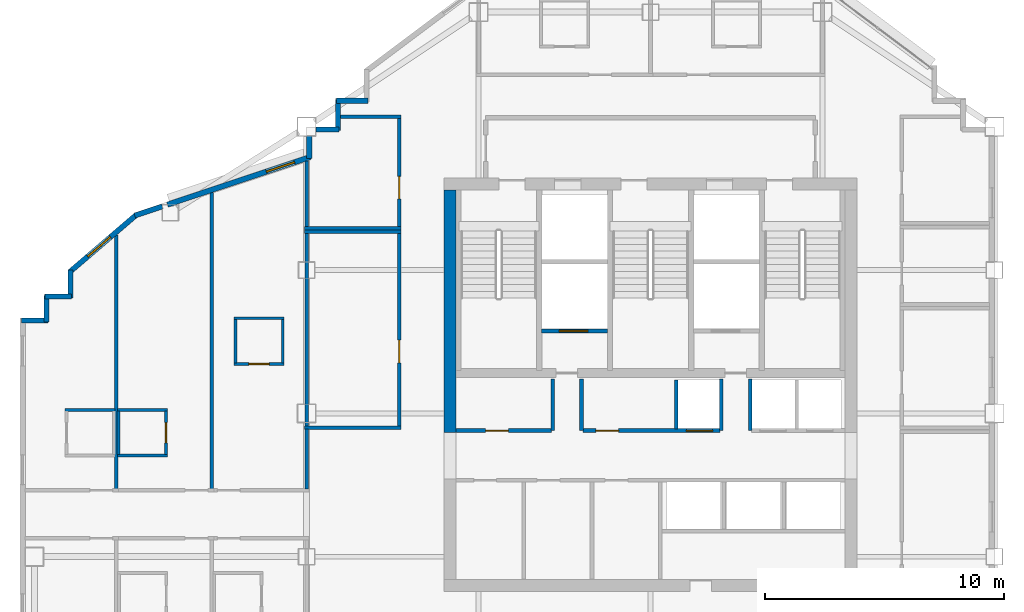
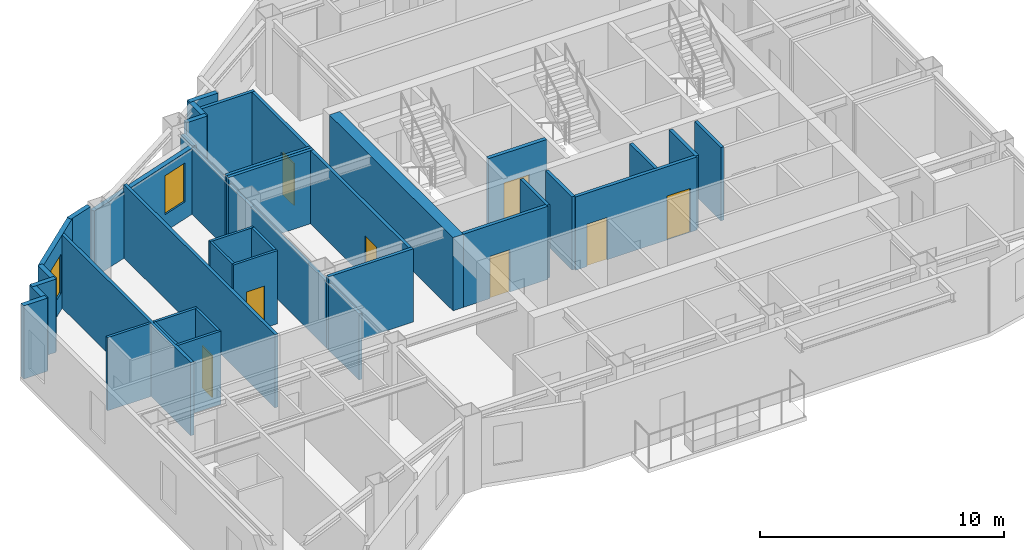
# One storey, part 6 of 11: 40 walls, 8 doors, 2 windows, 10 openings.
"""IFC4 building model written with IfcOpenShell, lengths in metres."""

from ifc_helpers import new_model, si_unit, direction, frame, frame_2d, origin, place, context, subcontext, project, spatial, rectangle, extrude, material, layer, layer_set, type_object, element, fill, save


model = new_model("IFC4")

# Units and contexts
model_context = context("Model", 3, precision=1e-05, world=origin(), true_north=direction((0.0, 1.0)))
body_context = subcontext(model_context, "Body", "Model", "MODEL_VIEW")
ifc_project = project(units=[si_unit("LENGTHUNIT", "METRE"), si_unit("AREAUNIT", "SQUARE_METRE"), si_unit("VOLUMEUNIT", "CUBIC_METRE"), si_unit("PLANEANGLEUNIT", "RADIAN"), si_unit("MASSUNIT", "GRAM", prefix="KILO")], contexts=[model_context])

# Site, building, storey
site_placement = place(None, origin())
site = spatial("IfcSite", under=ifc_project, at=site_placement, CompositionType="ELEMENT")
building_placement = place(site_placement, origin())
building = spatial("IfcBuilding", under=site, at=building_placement, Name="Haolan Belvedere Tower", CompositionType="ELEMENT")
storey_placement = place(building_placement, frame((0.0, 0.0, 254.449951171875)))
storey = spatial("IfcBuildingStorey", under=building, at=storey_placement, Name="L64", CompositionType="ELEMENT", Elevation=254.449951171875)

# Walls
ifc_material_1 = material(Name="Concrete C50/60", Category="concrete")
ifc_layer_1 = layer(ifc_material_1, 0.5, Name="Concrete C50/60")
ifc_layer_set_1 = layer_set([ifc_layer_1], Name="Concrete C50/60")
wall_type_1 = type_object("IfcWallType", Name="WL-CORE-500", PredefinedType="SHEAR", material=ifc_layer_set_1)
wall_1_placement = place(storey_placement, frame((30.0, 32.800048828125, 0.0), z_axis=(0.0, 0.0, 1.0), x_axis=(0.0, 1.0, 0.0)))
element("IfcWall", 1, at=wall_1_placement, inside=storey, type_object=wall_type_1, Name="L64 central core shear wall WN", PredefinedType="SHEAR", context=body_context, shape_type="SweptSolid", body=[
    extrude(rectangle(XDim=10.14990234375, YDim=0.5, at=frame_2d((5.074951171875, 0.0))), origin(), (0.0, 0.0, 1.0), 3.670166015625),
])
ifc_material_2 = material(Name="Precast concrete C40/50", Category="concrete")
ifc_layer_2 = layer(ifc_material_2, 0.219970703125, Name="Precast concrete C40/50")
ifc_layer_set_2 = layer_set([ifc_layer_2], Name="Precast concrete C40/50")
wall_type_2 = type_object("IfcWallType", Name="WL-EXT-220", PredefinedType="SOLIDWALL", material=ifc_layer_set_2)
for number, where, z_axis, x_axis, name in (
    (2, (26.56494140625, 46.68994140625, 0.0), (0.0, 0.0, 1.0), (-1.0, 0.0, 0.0), "L64 pale-metal exterior spandrel wall 13.1"),
    (3, (25.31005859375, 46.7451171875, 0.0), (0.0, 0.0, 1.0), (0.0, -1.0, 0.0), "L64 pale-metal exterior spandrel wall 14.1"),
):
    element("IfcWall", number, at=place(storey_placement, frame(where, z_axis=z_axis, x_axis=x_axis)), inside=storey, type_object=wall_type_2, Name=name, PredefinedType="SOLIDWALL", context=body_context, shape_type="SweptSolid", body=[
        extrude(rectangle(XDim=1.31005859375, YDim=0.219970703125, at=frame_2d((0.655029296875, 0.0))), origin(), (0.0, 0.0, 1.0), 3.670166015625),
    ])
wall_2_placement = place(storey_placement, frame((25.364990234375, 45.489990234375, 0.0), z_axis=(0.0, 0.0, 1.0), x_axis=(-1.0, 0.0, 0.0)))
element("IfcWall", 4, at=wall_2_placement, inside=storey, type_object=wall_type_2, Name="L64 pale-metal exterior spandrel wall 15.1", PredefinedType="SOLIDWALL", context=body_context, shape_type="SweptSolid", body=[
    extrude(rectangle(XDim=0.972900390625, YDim=0.219970703125, at=frame_2d((0.486328125, 0.0))), origin(), (0.0, 0.0, 1.0), 3.670166015625),
])
wall_3_placement = place(storey_placement, frame((24.110107421875, 45.2080078125, 0.0), z_axis=(0.0, 0.0, 1.0), x_axis=(0.0, -1.0, 0.0)))
element("IfcWall", 5, at=wall_3_placement, inside=storey, type_object=wall_type_2, Name="L64 pale-metal exterior spandrel wall 16.1", PredefinedType="SOLIDWALL", context=body_context, shape_type="SweptSolid", body=[
    extrude(rectangle(XDim=0.9423828125, YDim=0.219970703125, at=frame_2d((0.47119140625, 0.0))), origin(), (0.0, 0.0, 1.0), 3.31494140625),
])

# Wall, opening, window
wall_4_placement = place(storey_placement, frame((24.162109375, 44.338134765625, 0.0), z_axis=(0.0, 0.0, 1.0), x_axis=(-0.948687165594, -0.31621616315, 0.0)))
wall_4 = element("IfcWall", 6, at=wall_4_placement, inside=storey, type_object=wall_type_2, Name="L64 pale-metal exterior spandrel wall 17.1", PredefinedType="SOLIDWALL", context=body_context, shape_type="SweptSolid", body=[
    extrude(rectangle(XDim=6.3125, YDim=0.219970703125, at=frame_2d((3.15625, 0.0))), origin(), (0.0, 0.0, 1.0), 3.31494140625),
])
opening_1_placement = place(wall_4_placement, frame((0.699951171875, 0.0, 0.85009765625)))
opening_1 = element("IfcOpeningElement", 7, at=opening_1_placement, cuts=wall_4, Name="Opening W-04", PredefinedType="OPENING", context=body_context, shape_type="SweptSolid", body=[
    extrude(rectangle(XDim=1.25, YDim=1.949951171875, at=frame_2d((0.625, 0.97509765625))), frame((0.0, 0.119873046875, 0.0), z_axis=(0.0, -1.0, 0.0), x_axis=(1.0, 0.0, 0.0)), (0.0, 0.0, 1.0), 0.239990234375),
])
ifc_material_3 = material(Name="Anodised aluminium 6063-T6 and Low-E glass", Category="aluminium")
window_type = type_object("IfcWindowType", Name="WN-DECO-Z4", PartitioningType="SINGLE_PANEL", PredefinedType="WINDOW", material=ifc_material_3)
window_1_placement = place(opening_1_placement, origin())
window_1 = element("IfcWindow", 8, at=window_1_placement, inside=storey, type_object=window_type, Name="L64 Art Deco chevron window 1", OverallHeight=1.949951171875, OverallWidth=1.25, PartitioningType="SINGLE_PANEL", PredefinedType="WINDOW", context=body_context, shape_type="SweptSolid", body=[
    extrude(rectangle(XDim=1.25, YDim=1.949951171875, at=frame_2d((0.625, 0.97509765625))), frame((0.0, 0.030029296875, 0.0), z_axis=(0.0, -1.0, 0.0), x_axis=(1.0, 0.0, 0.0)), (0.0, 0.0, 1.0), 0.06005859375),
])
fill(opening_1, window_1)

# Wall
wall_5_placement = place(storey_placement, frame((17.9580078125, 42.27001953125, 0.0), z_axis=(0.0, 0.0, 1.0), x_axis=(-0.948683298051, -0.316227766017, 0.0)))
element("IfcWall", 9, at=wall_5_placement, inside=storey, type_object=wall_type_2, Name="L64 pale-metal exterior spandrel wall 17.2", PredefinedType="SOLIDWALL", context=body_context, shape_type="SweptSolid", body=[
    extrude(rectangle(XDim=1.217529296875, YDim=0.219970703125, at=frame_2d((0.60888671875, 0.0))), origin(), (0.0, 0.0, 1.0), 3.670166015625),
])

# Wall, opening, window
wall_6_placement = place(storey_placement, frame((16.89697265625, 41.938232421875, 0.0), z_axis=(0.0, 0.0, 1.0), x_axis=(-0.759279729622, -0.650764390686, 0.0)))
wall_6 = element("IfcWall", 10, at=wall_6_placement, inside=storey, type_object=wall_type_2, Name="L64 pale-metal exterior spandrel wall 18.1", PredefinedType="SOLIDWALL", context=body_context, shape_type="SweptSolid", body=[
    extrude(rectangle(XDim=3.725830078125, YDim=0.219970703125, at=frame_2d((1.86279296875, 0.0))), origin(), (0.0, 0.0, 1.0), 3.670166015625),
])
opening_2_placement = place(wall_6_placement, frame((1.46435546875, 0.0, 0.85009765625)))
opening_2 = element("IfcOpeningElement", 11, at=opening_2_placement, cuts=wall_6, Name="Opening W-04", PredefinedType="OPENING", context=body_context, shape_type="SweptSolid", body=[
    extrude(rectangle(XDim=1.25, YDim=1.949951171875, at=frame_2d((0.625, 0.97509765625))), frame((0.0, 0.119873046875, 0.0), z_axis=(0.0, -1.0, 0.0), x_axis=(1.0, 0.0, 0.0)), (0.0, 0.0, 1.0), 0.239990234375),
])
window_2_placement = place(opening_2_placement, origin())
window_2 = element("IfcWindow", 12, at=window_2_placement, inside=storey, type_object=window_type, Name="L64 Art Deco chevron window 1", OverallHeight=1.949951171875, OverallWidth=1.25, PartitioningType="SINGLE_PANEL", PredefinedType="WINDOW", context=body_context, shape_type="SweptSolid", body=[
    extrude(rectangle(XDim=1.25, YDim=1.949951171875, at=frame_2d((0.625, 0.97509765625))), frame((0.0, 0.030029296875, 0.0), z_axis=(0.0, -1.0, 0.0), x_axis=(1.0, 0.0, 0.0)), (0.0, 0.0, 1.0), 0.06005859375),
])
fill(opening_2, window_2)

# Walls
wall_7_placement = place(storey_placement, frame((14.110107421875, 39.6044921875, 0.0), z_axis=(0.0, 0.0, 1.0), x_axis=(0.0, -1.0, 0.0)))
element("IfcWall", 13, at=wall_7_placement, inside=storey, type_object=wall_type_2, Name="L64 pale-metal exterior spandrel wall 19.1", PredefinedType="SOLIDWALL", context=body_context, shape_type="SweptSolid", body=[
    extrude(rectangle(XDim=1.16943359375, YDim=0.219970703125, at=frame_2d((0.584716796875, 0.0))), origin(), (0.0, 0.0, 1.0), 3.670166015625),
])
wall_8_placement = place(storey_placement, frame((14.1650390625, 38.489990234375, 0.0), z_axis=(0.0, 0.0, 1.0), x_axis=(-1.0, 0.0, 0.0)))
element("IfcWall", 14, at=wall_8_placement, inside=storey, type_object=wall_type_2, Name="L64 pale-metal exterior spandrel wall 20.1", PredefinedType="SOLIDWALL", context=body_context, shape_type="SweptSolid", body=[
    extrude(rectangle(XDim=1.110107421875, YDim=0.219970703125, at=frame_2d((0.55517578125, 0.0))), origin(), (0.0, 0.0, 1.0), 3.670166015625),
])
wall_9_placement = place(storey_placement, frame((13.110107421875, 38.544921875, 0.0), z_axis=(0.0, 0.0, 1.0), x_axis=(0.0, -1.0, 0.0)))
element("IfcWall", 15, at=wall_9_placement, inside=storey, type_object=wall_type_2, Name="L64 pale-metal exterior spandrel wall 21.1", PredefinedType="SOLIDWALL", context=body_context, shape_type="SweptSolid", body=[
    extrude(rectangle(XDim=1.10986328125, YDim=0.219970703125, at=frame_2d((0.554931640625, 0.0))), origin(), (0.0, 0.0, 1.0), 3.670166015625),
])
wall_10_placement = place(storey_placement, frame((13.1650390625, 37.489990234375, 0.0), z_axis=(0.0, 0.0, 1.0), x_axis=(-1.0, 0.0, 0.0)))
element("IfcWall", 16, at=wall_10_placement, inside=storey, type_object=wall_type_2, Name="L64 pale-metal exterior spandrel wall 22.1", PredefinedType="SOLIDWALL", context=body_context, shape_type="SweptSolid", body=[
    extrude(rectangle(XDim=1.110107421875, YDim=0.219970703125, at=frame_2d((0.55517578125, 0.0))), origin(), (0.0, 0.0, 1.0), 3.670166015625),
])
ifc_material_4 = material(Name="Double gypsum acoustic stud partition", Category="masonry")
ifc_layer_3 = layer(ifc_material_4, 0.14990234375, Name="Double gypsum acoustic stud partition")
ifc_layer_set_3 = layer_set([ifc_layer_3], Name="Double gypsum acoustic stud partition")
wall_type_3 = type_object("IfcWallType", Name="WL-PART-150", PredefinedType="PARTITIONING", material=ifc_layer_set_3)
for number, where, z_axis, x_axis, name in (
    (17, (23.919921875, 41.199951171875, 0.0), (0.0, 0.0, 1.0), (1.0, 0.0, 0.0), "L64 interior partition IW-L64-SAL-N"),
    (18, (23.919921875, 33.0, 0.0), (0.0, 0.0, 1.0), (1.0, 0.0, 0.0), "L64 interior partition IW-L64-SAL-S"),
):
    element("IfcWall", number, at=place(storey_placement, frame(where, z_axis=z_axis, x_axis=x_axis)), inside=storey, type_object=wall_type_3, Name=name, PredefinedType="PARTITIONING", context=body_context, shape_type="SweptSolid", body=[
        extrude(rectangle(XDim=4.0400390625, YDim=0.14990234375, at=frame_2d((2.02001953125, 0.0))), origin(), (0.0, 0.0, 1.0), 3.670166015625),
    ])
wall_11_placement = place(storey_placement, frame((24.0, 33.06005859375, 0.0), z_axis=(0.0, 0.0, 1.0), x_axis=(0.0, 1.0, 0.0)))
element("IfcWall", 19, at=wall_11_placement, inside=storey, type_object=wall_type_3, Name="L64 interior partition IW-L64-SAL-W", PredefinedType="PARTITIONING", context=body_context, shape_type="SweptSolid", body=[
    extrude(rectangle(XDim=8.079833984375, YDim=0.14990234375, at=frame_2d((4.0400390625, 0.0))), origin(), (0.0, 0.0, 1.0), 3.31494140625),
])

# Wall, opening, door
wall_12_placement = place(storey_placement, frame((27.8798828125, 33.06005859375, 0.0), z_axis=(0.0, 0.0, 1.0), x_axis=(0.0, 1.0, 0.0)))
wall_12 = element("IfcWall", 20, at=wall_12_placement, inside=storey, type_object=wall_type_3, Name="L64 interior partition IW-L64-SAL-E", PredefinedType="PARTITIONING", context=body_context, shape_type="SweptSolid", body=[
    extrude(rectangle(XDim=8.079833984375, YDim=0.14990234375, at=frame_2d((4.0400390625, 0.0))), origin(), (0.0, 0.0, 1.0), 3.670166015625),
])
opening_3_placement = place(wall_12_placement, frame((3.60986328125, 0.0, 0.0), z_axis=(0.0, 0.0, 1.0), x_axis=(-1.0, 0.0, 0.0)))
opening_3 = element("IfcOpeningElement", 21, at=opening_3_placement, cuts=wall_12, Name="Opening ID-03", PredefinedType="OPENING", context=body_context, shape_type="SweptSolid", body=[
    extrude(rectangle(XDim=0.949951171875, YDim=2.1201171875, at=frame_2d((0.47509765625, 1.06005859375))), frame((0.0, 0.0849609375, 0.0), z_axis=(0.0, -1.0, 0.0), x_axis=(1.0, 0.0, 0.0)), (0.0, 0.0, 1.0), 0.169921875),
])
ifc_material_5 = material(Name="Painted solid-core timber", Category="wood")
door_type_1 = type_object("IfcDoorType", Name="DR-INT-950", OperationType="NOTDEFINED", PredefinedType="DOOR", material=ifc_material_5)
door_1_placement = place(opening_3_placement, origin())
door_1 = element("IfcDoor", 22, at=door_1_placement, inside=storey, type_object=door_type_1, Name="L64 door ID-L64-SAL", OperationType="SINGLE_SWING_LEFT", OverallHeight=2.1201171875, OverallWidth=0.949951171875, PredefinedType="DOOR", context=body_context, shape_type="SweptSolid", body=[
    extrude(rectangle(XDim=0.949951171875, YDim=2.1201171875, at=frame_2d((0.47509765625, 1.06005859375))), frame((0.0, 0.02490234375, 0.0), z_axis=(0.0, -1.0, 0.0), x_axis=(1.0, 0.0, 0.0)), (0.0, 0.0, 1.0), 0.050048828125),
])
fill(opening_3, door_1)

# Walls
wall_13_placement = place(storey_placement, frame((25.412109375, 46.02001953125, 0.0), z_axis=(0.0, 0.0, 1.0), x_axis=(1.0, 0.0, 0.0)))
element("IfcWall", 23, at=wall_13_placement, inside=storey, type_object=wall_type_3, Name="L64 interior partition IW-L64-HSK-N", PredefinedType="PARTITIONING", context=body_context, shape_type="SweptSolid", body=[
    extrude(rectangle(XDim=2.5478515625, YDim=0.14990234375, at=frame_2d((1.27392578125, 0.0))), origin(), (0.0, 0.0, 1.0), 3.670166015625),
])
wall_14_placement = place(storey_placement, frame((23.919921875, 41.360107421875, 0.0), z_axis=(0.0, 0.0, 1.0), x_axis=(1.0, 0.0, 0.0)))
element("IfcWall", 24, at=wall_14_placement, inside=storey, type_object=wall_type_3, Name="L64 interior partition IW-L64-HSK-S", PredefinedType="PARTITIONING", context=body_context, shape_type="SweptSolid", body=[
    extrude(rectangle(XDim=4.0400390625, YDim=0.14990234375, at=frame_2d((2.02001953125, 0.0))), origin(), (0.0, 0.0, 1.0), 3.670166015625),
])
wall_15_placement = place(storey_placement, frame((24.0, 41.419921875, 0.0), z_axis=(0.0, 0.0, 1.0), x_axis=(0.0, 1.0, 0.0)))
element("IfcWall", 25, at=wall_15_placement, inside=storey, type_object=wall_type_3, Name="L64 interior partition IW-L64-HSK-W", PredefinedType="PARTITIONING", context=body_context, shape_type="SweptSolid", body=[
    extrude(rectangle(XDim=2.756591796875, YDim=0.14990234375, at=frame_2d((1.37841796875, 0.0))), origin(), (0.0, 0.0, 1.0), 3.31494140625),
])

# Wall, opening, door
wall_16_placement = place(storey_placement, frame((27.8798828125, 41.419921875, 0.0), z_axis=(0.0, 0.0, 1.0), x_axis=(0.0, 1.0, 0.0)))
wall_16 = element("IfcWall", 26, at=wall_16_placement, inside=storey, type_object=wall_type_3, Name="L64 interior partition IW-L64-HSK-E", PredefinedType="PARTITIONING", context=body_context, shape_type="SweptSolid", body=[
    extrude(rectangle(XDim=4.5400390625, YDim=0.14990234375, at=frame_2d((2.27001953125, 0.0))), origin(), (0.0, 0.0, 1.0), 3.670166015625),
])
opening_4_placement = place(wall_16_placement, frame((2.10986328125, 0.0, 0.0), z_axis=(0.0, 0.0, 1.0), x_axis=(-1.0, 0.0, 0.0)))
opening_4 = element("IfcOpeningElement", 27, at=opening_4_placement, cuts=wall_16, Name="Opening ID-03", PredefinedType="OPENING", context=body_context, shape_type="SweptSolid", body=[
    extrude(rectangle(XDim=0.949951171875, YDim=2.1201171875, at=frame_2d((0.47509765625, 1.06005859375))), frame((0.0, 0.0849609375, 0.0), z_axis=(0.0, -1.0, 0.0), x_axis=(1.0, 0.0, 0.0)), (0.0, 0.0, 1.0), 0.169921875),
])
door_2_placement = place(opening_4_placement, origin())
door_2 = element("IfcDoor", 28, at=door_2_placement, inside=storey, type_object=door_type_1, Name="L64 door ID-L64-HSK", OperationType="SINGLE_SWING_RIGHT", OverallHeight=2.1201171875, OverallWidth=0.949951171875, PredefinedType="DOOR", context=body_context, shape_type="SweptSolid", body=[
    extrude(rectangle(XDim=0.949951171875, YDim=2.1201171875, at=frame_2d((0.47509765625, 1.06005859375))), frame((0.0, 0.02490234375, 0.0), z_axis=(0.0, -1.0, 0.0), x_axis=(1.0, 0.0, 0.0)), (0.0, 0.0, 1.0), 0.050048828125),
])
fill(opening_4, door_2)

# Walls
wall_17_placement = place(storey_placement, frame((16.030029296875, 30.43994140625, 0.0), z_axis=(0.0, 0.0, 1.0), x_axis=(0.0, 1.0, 0.0)))
element("IfcWall", 29, at=wall_17_placement, inside=storey, type_object=wall_type_3, Name="L64 interior partition IW-L64-T2N1-E", PredefinedType="PARTITIONING", context=body_context, shape_type="SweptSolid", body=[
    extrude(rectangle(XDim=10.620849609375, YDim=0.14990234375, at=frame_2d((5.310546875, 0.0))), origin(), (0.0, 0.0, 1.0), 3.670166015625),
])
wall_18_placement = place(storey_placement, frame((20.02001953125, 30.43994140625, 0.0), z_axis=(0.0, 0.0, 1.0), x_axis=(0.0, 1.0, 0.0)))
element("IfcWall", 30, at=wall_18_placement, inside=storey, type_object=wall_type_3, Name="L64 interior partition IW-L64-T2N2-E", PredefinedType="PARTITIONING", context=body_context, shape_type="SweptSolid", body=[
    extrude(rectangle(XDim=12.409912109375, YDim=0.14990234375, at=frame_2d((6.205078125, 0.0))), origin(), (0.0, 0.0, 1.0), 3.670166015625),
])
wall_19_placement = place(storey_placement, frame((24.0, 30.43994140625, 0.0), z_axis=(0.0, 0.0, 1.0), x_axis=(0.0, 1.0, 0.0)))
element("IfcWall", 31, at=wall_19_placement, inside=storey, type_object=wall_type_3, Name="L64 interior partition IW-L64-T2N3-E", PredefinedType="PARTITIONING", context=body_context, shape_type="SweptSolid", body=[
    extrude(rectangle(XDim=2.5, YDim=0.14990234375, at=frame_2d((1.25, 0.0))), origin(), (0.0, 0.0, 1.0), 3.31494140625),
])
ifc_material_6 = material(Name="Gypsum fire shaftwall assembly", Category="masonry")
ifc_layer_4 = layer(ifc_material_6, 0.1650390625, Name="Gypsum fire shaftwall assembly")
ifc_layer_set_4 = layer_set([ifc_layer_4], Name="Gypsum fire shaftwall assembly")
wall_type_4 = type_object("IfcWallType", Name="WL-SHAFT-160", PredefinedType="SOLIDWALL", material=ifc_layer_set_4)
for number, where, z_axis, x_axis, name in (
    (32, (34.31005859375, 32.8798828125, 0.0), (0.0, 0.0, 1.0), (0.0, 1.0, 0.0), "L64 interior partition IW-L64-SVP-W-SV1"),
    (33, (35.510009765625, 32.8798828125, 0.0), (0.0, 0.0, 1.0), (0.0, 1.0, 0.0), "L64 interior partition IW-L64-SVP-E-SV1"),
    (34, (41.3701171875, 32.8798828125, 0.0), (0.0, 0.0, 1.0), (0.0, 1.0, 0.0), "L64 interior partition IW-L64-SVP-W-SV2"),
    (35, (42.570068359375, 32.8798828125, 0.0), (0.0, 0.0, 1.0), (0.0, 1.0, 0.0), "L64 interior partition IW-L64-SVP-E-SV2"),
):
    element("IfcWall", number, at=place(storey_placement, frame(where, z_axis=z_axis, x_axis=x_axis)), inside=storey, type_object=wall_type_4, Name=name, PredefinedType="SOLIDWALL", context=body_context, shape_type="SweptSolid", body=[
        extrude(rectangle(XDim=2.170166015625, YDim=0.14990234375, at=frame_2d((1.0849609375, 0.0))), origin(), (0.0, 0.0, 1.0), 3.670166015625),
    ])

# Wall, opening, door
wall_20_placement = place(storey_placement, frame((30.25, 32.8798828125, 0.0), z_axis=(0.0, 0.0, 1.0), x_axis=(1.0, 0.0, 0.0)))
wall_20 = element("IfcWall", 36, at=wall_20_placement, inside=storey, type_object=wall_type_4, Name="L64 interior partition IW-L64-ROW-PN1", PredefinedType="SOLIDWALL", context=body_context, shape_type="SweptSolid", body=[
    extrude(rectangle(XDim=4.0, YDim=0.159912109375, at=frame_2d((2.0, 0.0))), origin(), (0.0, 0.0, 1.0), 3.670166015625),
])
opening_5_placement = place(wall_20_placement, frame((2.199951171875, 0.0, 0.0), z_axis=(0.0, 0.0, 1.0), x_axis=(-1.0, 0.0, 0.0)))
opening_5 = element("IfcOpeningElement", 37, at=opening_5_placement, cuts=wall_20, Name="Opening ID-03", PredefinedType="OPENING", context=body_context, shape_type="SweptSolid", body=[
    extrude(rectangle(XDim=0.949951171875, YDim=2.1201171875, at=frame_2d((0.47509765625, 1.06005859375))), frame((0.0, 0.08984375, 0.0), z_axis=(0.0, -1.0, 0.0), x_axis=(1.0, 0.0, 0.0)), (0.0, 0.0, 1.0), 0.179931640625),
])
door_3_placement = place(opening_5_placement, origin())
door_3 = element("IfcDoor", 38, at=door_3_placement, inside=storey, type_object=door_type_1, Name="L64 door ID-L64-CD-RPLW", OperationType="SINGLE_SWING_LEFT", OverallHeight=2.1201171875, OverallWidth=0.949951171875, PredefinedType="DOOR", context=body_context, shape_type="SweptSolid", body=[
    extrude(rectangle(XDim=0.949951171875, YDim=2.1201171875, at=frame_2d((0.47509765625, 1.06005859375))), frame((0.0, 0.02490234375, 0.0), z_axis=(0.0, -1.0, 0.0), x_axis=(1.0, 0.0, 0.0)), (0.0, 0.0, 1.0), 0.050048828125),
])
fill(opening_5, door_3)

# Wall, openings, doors
wall_21_placement = place(storey_placement, frame((35.570068359375, 32.8798828125, 0.0), z_axis=(0.0, 0.0, 1.0), x_axis=(1.0, 0.0, 0.0)))
wall_21 = element("IfcWall", 39, at=wall_21_placement, inside=storey, type_object=wall_type_4, Name="L64 interior partition IW-L64-ROW-PN2", PredefinedType="SOLIDWALL", context=body_context, shape_type="SweptSolid", body=[
    extrude(rectangle(XDim=5.739990234375, YDim=0.159912109375, at=frame_2d((2.8701171875, 0.0))), origin(), (0.0, 0.0, 1.0), 3.670166015625),
])
opening_6_placement = place(wall_21_placement, frame((1.489990234375, 0.0, 0.0), z_axis=(0.0, 0.0, 1.0), x_axis=(-1.0, 0.0, 0.0)))
opening_6 = element("IfcOpeningElement", 40, at=opening_6_placement, cuts=wall_21, Name="Opening ID-03", PredefinedType="OPENING", context=body_context, shape_type="SweptSolid", body=[
    extrude(rectangle(XDim=0.949951171875, YDim=2.1201171875, at=frame_2d((0.47509765625, 1.06005859375))), frame((0.0, 0.08984375, 0.0), z_axis=(0.0, -1.0, 0.0), x_axis=(1.0, 0.0, 0.0)), (0.0, 0.0, 1.0), 0.179931640625),
])
opening_7_placement = place(wall_21_placement, frame((5.43017578125, 0.0, 0.0), z_axis=(0.0, 0.0, 1.0), x_axis=(-1.0, 0.0, 0.0)))
opening_7 = element("IfcOpeningElement", 41, at=opening_7_placement, cuts=wall_21, Name="Opening LD-01", PredefinedType="OPENING", context=body_context, shape_type="SweptSolid", body=[
    extrude(rectangle(XDim=1.10009765625, YDim=2.199951171875, at=frame_2d((0.550048828125, 1.10009765625))), frame((0.0, 0.08984375, 0.0), z_axis=(0.0, -1.0, 0.0), x_axis=(1.0, 0.0, 0.0)), (0.0, 0.0, 1.0), 0.179931640625),
])
door_4_placement = place(opening_6_placement, origin())
door_4 = element("IfcDoor", 42, at=door_4_placement, inside=storey, type_object=door_type_1, Name="L64 door ID-L64-CD-RPLE", OperationType="SINGLE_SWING_RIGHT", OverallHeight=2.1201171875, OverallWidth=0.949951171875, PredefinedType="DOOR", context=body_context, shape_type="SweptSolid", body=[
    extrude(rectangle(XDim=0.949951171875, YDim=2.1201171875, at=frame_2d((0.47509765625, 1.06005859375))), frame((0.0, 0.02490234375, 0.0), z_axis=(0.0, -1.0, 0.0), x_axis=(1.0, 0.0, 0.0)), (0.0, 0.0, 1.0), 0.050048828125),
])
fill(opening_6, door_4)
ifc_material_7 = material(Name="Brushed champagne stainless steel 316L", Category="steel")
door_type_2 = type_object("IfcDoorType", Name="DR-LIFT-1100", OperationType="SLIDING_TO_LEFT", PredefinedType="DOOR", material=ifc_material_7)
door_5_placement = place(opening_7_placement, origin())
door_5 = element("IfcDoor", 43, at=door_5_placement, inside=storey, type_object=door_type_2, Name="L64 door ID-L64-LD-PH1", OperationType="SLIDING_TO_RIGHT", OverallHeight=2.199951171875, OverallWidth=1.10009765625, PredefinedType="DOOR", context=body_context, shape_type="SweptSolid", body=[
    extrude(rectangle(XDim=1.10009765625, YDim=2.199951171875, at=frame_2d((0.550048828125, 1.10009765625))), frame((0.0, 0.02490234375, 0.0), z_axis=(0.0, -1.0, 0.0), x_axis=(1.0, 0.0, 0.0)), (0.0, 0.0, 1.0), 0.050048828125),
])
fill(opening_7, door_5)

# Wall
wall_22_placement = place(storey_placement, frame((39.469970703125, 32.949951171875, 0.0), z_axis=(0.0, 0.0, 1.0), x_axis=(0.0, 1.0, 0.0)))
element("IfcWall", 44, at=wall_22_placement, inside=storey, type_object=wall_type_4, Name="L64 interior partition IW-L64-DIV-PL4R", PredefinedType="SOLIDWALL", context=body_context, shape_type="SweptSolid", body=[
    extrude(rectangle(XDim=2.050048828125, YDim=0.14990234375, at=frame_2d((1.02490234375, 0.0))), origin(), (0.0, 0.0, 1.0), 3.670166015625),
])

# Wall, opening, door
ifc_layer_5 = layer(ifc_material_2, 0.179931640625, Name="Precast concrete C40/50")
ifc_layer_set_5 = layer_set([ifc_layer_5], Name="Precast concrete C40/50")
wall_type_5 = type_object("IfcWallType", Name="WL-SHAFT-180", PredefinedType="SOLIDWALL", material=ifc_layer_set_5)
wall_23_placement = place(storey_placement, frame((33.8349609375, 37.050048828125, 0.0), z_axis=(0.0, 0.0, 1.0), x_axis=(1.0, 0.0, 0.0)))
wall_23 = element("IfcWall", 45, at=wall_23_placement, inside=storey, type_object=wall_type_5, Name="L64 interior partition IW-L64-SV1-S", PredefinedType="SOLIDWALL", context=body_context, shape_type="SweptSolid", body=[
    extrude(rectangle(XDim=2.77001953125, YDim=0.179931640625, at=frame_2d((1.385009765625, 0.0))), origin(), (0.0, 0.0, 1.0), 3.670166015625),
])
opening_8_placement = place(wall_23_placement, frame((1.945068359375, 0.0, 0.0), z_axis=(0.0, 0.0, 1.0), x_axis=(-1.0, 0.0, 0.0)))
opening_8 = element("IfcOpeningElement", 46, at=opening_8_placement, cuts=wall_23, Name="Opening LD-02", PredefinedType="OPENING", context=body_context, shape_type="SweptSolid", body=[
    extrude(rectangle(XDim=1.199951171875, YDim=2.199951171875, at=frame_2d((0.60009765625, 1.10009765625))), frame((0.0, 0.099853515625, 0.0), z_axis=(0.0, -1.0, 0.0), x_axis=(1.0, 0.0, 0.0)), (0.0, 0.0, 1.0), 0.199951171875),
])
door_type_3 = type_object("IfcDoorType", Name="DR-LIFT-1200", OperationType="SLIDING_TO_RIGHT", PredefinedType="DOOR", material=ifc_material_7)
door_6_placement = place(opening_8_placement, origin())
door_6 = element("IfcDoor", 47, at=door_6_placement, inside=storey, type_object=door_type_3, Name="L64 door ID-L64-LD-SV1", OperationType="SLIDING_TO_RIGHT", OverallHeight=2.199951171875, OverallWidth=1.199951171875, PredefinedType="DOOR", context=body_context, shape_type="SweptSolid", body=[
    extrude(rectangle(XDim=1.199951171875, YDim=2.199951171875, at=frame_2d((0.60009765625, 1.10009765625))), frame((0.0, 0.02490234375, 0.0), z_axis=(0.0, -1.0, 0.0), x_axis=(1.0, 0.0, 0.0)), (0.0, 0.0, 1.0), 0.050048828125),
])
fill(opening_8, door_6)

# Walls
ifc_material_8 = material(Name="Moisture-resistant gypsum tile partition", Category="masonry")
ifc_layer_6 = layer(ifc_material_8, 0.1201171875, Name="Moisture-resistant gypsum tile partition")
ifc_layer_set_6 = layer_set([ifc_layer_6], Name="Moisture-resistant gypsum tile partition")
wall_type_6 = type_object("IfcWallType", Name="WL-WET-120", PredefinedType="PARTITIONING", material=ifc_layer_set_6)
wall_24_placement = place(storey_placement, frame((13.889892578125, 33.75, 0.0), z_axis=(0.0, 0.0, 1.0), x_axis=(1.0, 0.0, 0.0)))
element("IfcWall", 48, at=wall_24_placement, inside=storey, type_object=wall_type_6, Name="L64 interior partition IW-L64-T2N1-BN", PredefinedType="PARTITIONING", context=body_context, shape_type="SweptSolid", body=[
    extrude(rectangle(XDim=2.080078125, YDim=0.1201171875, at=frame_2d((1.0400390625, 0.0))), origin(), (0.0, 0.0, 1.0), 3.670166015625),
])
for number, where, z_axis, x_axis, name in (
    (49, (16.090087890625, 33.75, 0.0), (0.0, 0.0, 1.0), (1.0, 0.0, 0.0), "L64 interior partition IW-L64-T2N2-BN"),
    (50, (16.090087890625, 31.830078125, 0.0), (0.0, 0.0, 1.0), (1.0, 0.0, 0.0), "L64 interior partition IW-L64-T2N2-BS"),
):
    element("IfcWall", number, at=place(storey_placement, frame(where, z_axis=z_axis, x_axis=x_axis)), inside=storey, type_object=wall_type_6, Name=name, PredefinedType="PARTITIONING", context=body_context, shape_type="SweptSolid", body=[
        extrude(rectangle(XDim=2.079833984375, YDim=0.1201171875, at=frame_2d((1.0400390625, 0.0))), origin(), (0.0, 0.0, 1.0), 3.670166015625),
    ])
wall_25_placement = place(storey_placement, frame((16.1298828125, 31.875, 0.0), z_axis=(0.0, 0.0, 1.0), x_axis=(0.0, 1.0, 0.0)))
element("IfcWall", 51, at=wall_25_placement, inside=storey, type_object=wall_type_6, Name="L64 interior partition IW-L64-T2N2-BW", PredefinedType="PARTITIONING", context=body_context, shape_type="SweptSolid", body=[
    extrude(rectangle(XDim=1.830078125, YDim=0.1201171875, at=frame_2d((0.9150390625, 0.0))), origin(), (0.0, 0.0, 1.0), 3.670166015625),
])

# Wall, opening, door
wall_26_placement = place(storey_placement, frame((18.110107421875, 31.875, 0.0), z_axis=(0.0, 0.0, 1.0), x_axis=(0.0, 1.0, 0.0)))
wall_26 = element("IfcWall", 52, at=wall_26_placement, inside=storey, type_object=wall_type_6, Name="L64 interior partition IW-L64-T2N2-BE", PredefinedType="PARTITIONING", context=body_context, shape_type="SweptSolid", body=[
    extrude(rectangle(XDim=1.830078125, YDim=0.1201171875, at=frame_2d((0.9150390625, 0.0))), origin(), (0.0, 0.0, 1.0), 3.670166015625),
])
opening_9_placement = place(wall_26_placement, frame((0.489990234375, 0.0, 0.0)))
opening_9 = element("IfcOpeningElement", 53, at=opening_9_placement, cuts=wall_26, Name="Opening ID-05", PredefinedType="OPENING", context=body_context, shape_type="SweptSolid", body=[
    extrude(rectangle(XDim=0.85009765625, YDim=2.10009765625, at=frame_2d((0.425048828125, 1.050048828125))), frame((0.0, 0.070068359375, 0.0), z_axis=(0.0, -1.0, 0.0), x_axis=(1.0, 0.0, 0.0)), (0.0, 0.0, 1.0), 0.14013671875),
])
ifc_material_9 = material(Name="Moisture-resistant lacquered timber", Category="wood")
door_type_4 = type_object("IfcDoorType", Name="DR-BATH-850", OperationType="NOTDEFINED", PredefinedType="DOOR", material=ifc_material_9)
door_7_placement = place(opening_9_placement, origin())
door_7 = element("IfcDoor", 54, at=door_7_placement, inside=storey, type_object=door_type_4, Name="L64 door ID-L64-T2N2-BATH", OperationType="SINGLE_SWING_LEFT", OverallHeight=2.10009765625, OverallWidth=0.85009765625, PredefinedType="DOOR", context=body_context, shape_type="SweptSolid", body=[
    extrude(rectangle(XDim=0.85009765625, YDim=2.10009765625, at=frame_2d((0.425048828125, 1.050048828125))), frame((0.0, 0.02490234375, 0.0), z_axis=(0.0, -1.0, 0.0), x_axis=(1.0, 0.0, 0.0)), (0.0, 0.0, 1.0), 0.050048828125),
])
fill(opening_9, door_7)

# Wall
wall_27_placement = place(storey_placement, frame((20.9599609375, 37.5849609375, 0.0), z_axis=(0.0, 0.0, 1.0), x_axis=(1.0, 0.0, 0.0)))
element("IfcWall", 55, at=wall_27_placement, inside=storey, type_object=wall_type_6, Name="L64 interior partition IW-L64-T2N3-BN", PredefinedType="PARTITIONING", context=body_context, shape_type="SweptSolid", body=[
    extrude(rectangle(XDim=2.10009765625, YDim=0.1201171875, at=frame_2d((1.050048828125, 0.0))), origin(), (0.0, 0.0, 1.0), 3.670166015625),
])

# Wall, opening, door
wall_28_placement = place(storey_placement, frame((20.9599609375, 35.6650390625, 0.0), z_axis=(0.0, 0.0, 1.0), x_axis=(1.0, 0.0, 0.0)))
wall_28 = element("IfcWall", 56, at=wall_28_placement, inside=storey, type_object=wall_type_6, Name="L64 interior partition IW-L64-T2N3-BS", PredefinedType="PARTITIONING", context=body_context, shape_type="SweptSolid", body=[
    extrude(rectangle(XDim=2.10009765625, YDim=0.1201171875, at=frame_2d((1.050048828125, 0.0))), origin(), (0.0, 0.0, 1.0), 3.670166015625),
])
opening_10_placement = place(wall_28_placement, frame((0.625, 0.0, 0.0)))
opening_10 = element("IfcOpeningElement", 57, at=opening_10_placement, cuts=wall_28, Name="Opening ID-05", PredefinedType="OPENING", context=body_context, shape_type="SweptSolid", body=[
    extrude(rectangle(XDim=0.85009765625, YDim=2.10009765625, at=frame_2d((0.425048828125, 1.050048828125))), frame((0.0, 0.070068359375, 0.0), z_axis=(0.0, -1.0, 0.0), x_axis=(1.0, 0.0, 0.0)), (0.0, 0.0, 1.0), 0.14013671875),
])
door_8_placement = place(opening_10_placement, origin())
door_8 = element("IfcDoor", 58, at=door_8_placement, inside=storey, type_object=door_type_4, Name="L64 door ID-L64-T2N3-BATH", OperationType="SINGLE_SWING_RIGHT", OverallHeight=2.10009765625, OverallWidth=0.85009765625, PredefinedType="DOOR", context=body_context, shape_type="SweptSolid", body=[
    extrude(rectangle(XDim=0.85009765625, YDim=2.10009765625, at=frame_2d((0.425048828125, 1.050048828125))), frame((0.0, 0.02490234375, 0.0), z_axis=(0.0, -1.0, 0.0), x_axis=(1.0, 0.0, 0.0)), (0.0, 0.0, 1.0), 0.050048828125),
])
fill(opening_10, door_8)

# Walls
for number, where, z_axis, x_axis, name in (
    (59, (21.02001953125, 35.7099609375, 0.0), (0.0, 0.0, 1.0), (0.0, 1.0, 0.0), "L64 interior partition IW-L64-T2N3-BW"),
    (60, (23.0, 35.7099609375, 0.0), (0.0, 0.0, 1.0), (0.0, 1.0, 0.0), "L64 interior partition IW-L64-T2N3-BE"),
):
    element("IfcWall", number, at=place(storey_placement, frame(where, z_axis=z_axis, x_axis=x_axis)), inside=storey, type_object=wall_type_6, Name=name, PredefinedType="PARTITIONING", context=body_context, shape_type="SweptSolid", body=[
        extrude(rectangle(XDim=1.830078125, YDim=0.1201171875, at=frame_2d((0.9150390625, 0.0))), origin(), (0.0, 0.0, 1.0), 3.670166015625),
    ])

save(model, "model.ifc")
